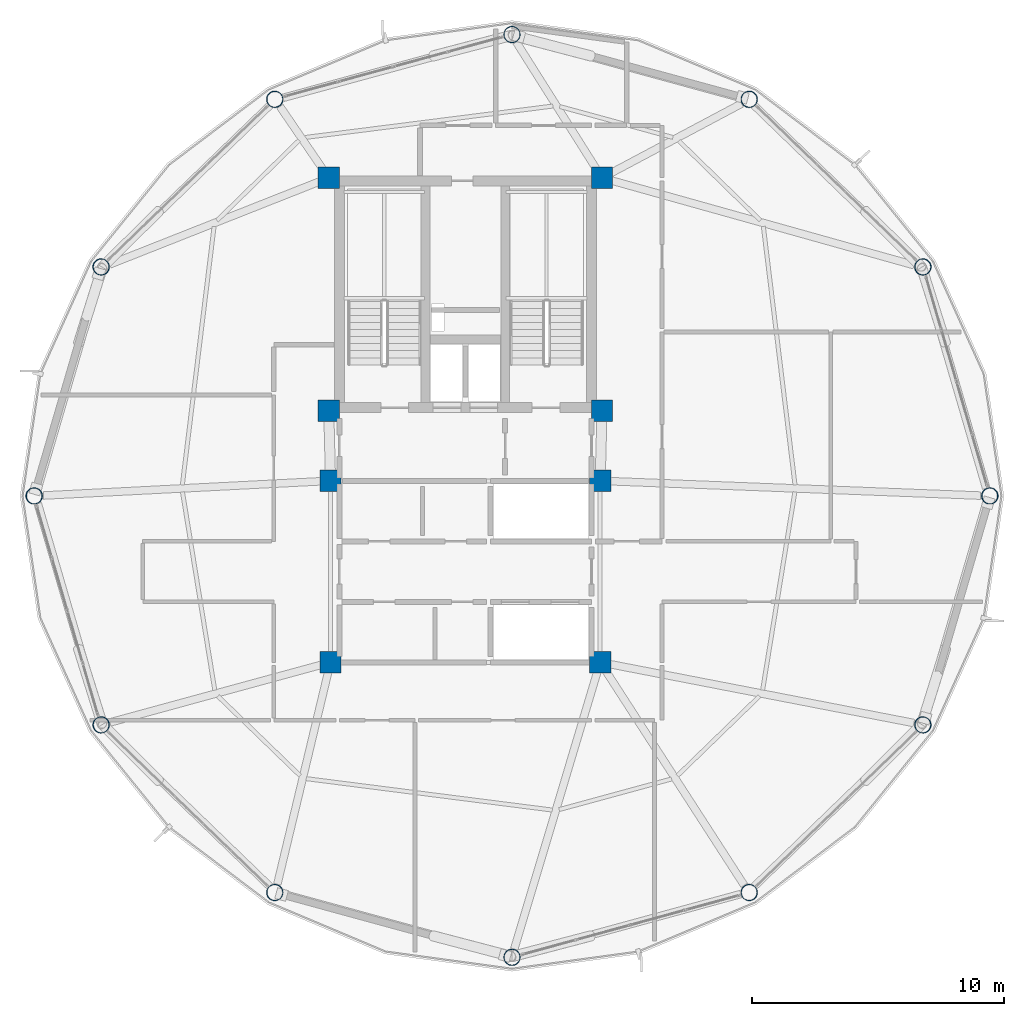
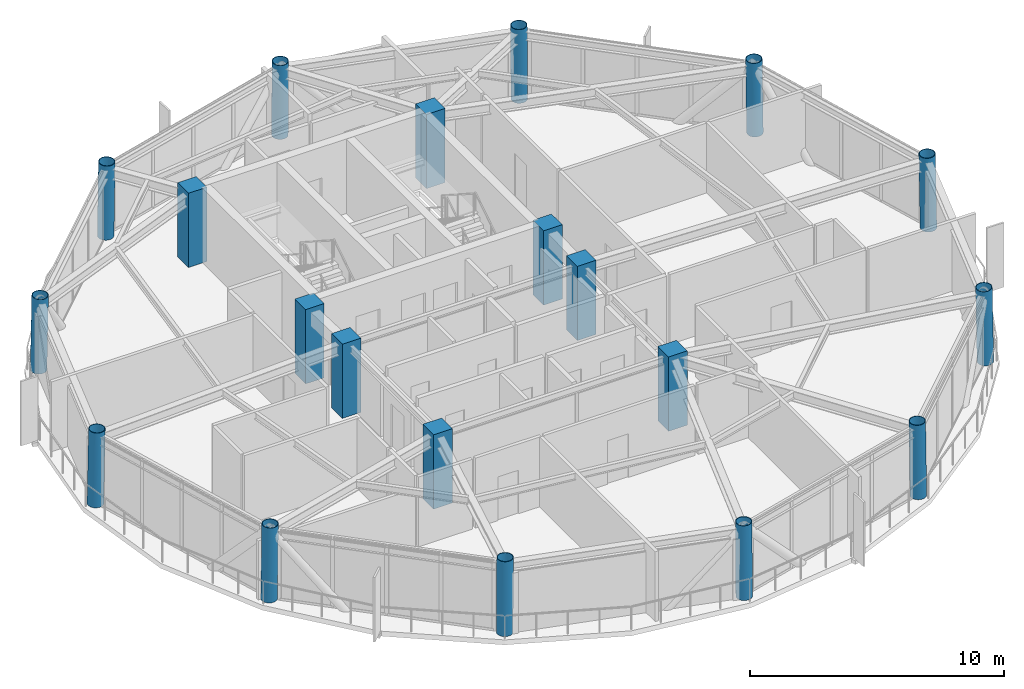
# One storey, part 1 of 26: 20 columns.
"""IFC4 building model written with IfcOpenShell, lengths in metres."""

from ifc_helpers import new_model, si_unit, direction, frame, origin, origin_2d, place, context, subcontext, project, spatial, rectangle, hollow_circle, extrude, material, material_profile, profile_set, type_object, element, save


model = new_model("IFC4")

# Units and contexts
model_context = context("Model", 3, precision=1e-05, world=origin(), true_north=direction((0.0, 1.0)))
body_context = subcontext(model_context, "Body", "Model", "MODEL_VIEW")
ifc_project = project(units=[si_unit("LENGTHUNIT", "METRE"), si_unit("AREAUNIT", "SQUARE_METRE"), si_unit("VOLUMEUNIT", "CUBIC_METRE"), si_unit("PLANEANGLEUNIT", "RADIAN"), si_unit("MASSUNIT", "GRAM", prefix="KILO")], contexts=[model_context])

# Site, building, storey
site_placement = place(None, origin())
site = spatial("IfcSite", under=ifc_project, at=site_placement, CompositionType="ELEMENT")
building_placement = place(site_placement, origin())
building = spatial("IfcBuilding", under=site, at=building_placement, Name="Varnakorn Sky Granary", CompositionType="ELEMENT")
storey_placement = place(building_placement, frame((0.0, 0.0, 222.0)))
storey = spatial("IfcBuildingStorey", under=building, at=storey_placement, Name="L56", CompositionType="ELEMENT", Elevation=222.0)

# Columns
ifc_material_1 = material(Name="Steel S460M", Category="steel")
ifc_material_profile_1 = material_profile(ifc_material_1, hollow_circle(Radius=0.330078125, WallThickness=0.02490234375, at=origin_2d()), Name="CHS 660x25")
ifc_profile_set_1 = profile_set([ifc_material_profile_1], Name="Steel S460M")
column_type_1 = type_object("IfcColumnType", Name="COL-DC-Z4", PredefinedType="COLUMN", material=ifc_profile_set_1)
column_1_placement = place(storey_placement, frame((23.819091796875, 0.0, 0.0), z_axis=(-0.018776993553, 0.0, 0.999823696715), x_axis=(0.0, -1.0, 0.0)))
element("IfcColumn", 1, at=column_1_placement, inside=storey, type_object=column_type_1, Name="Drum Perimeter Column DC01 L56", PredefinedType="COLUMN", context=body_context, shape_type="SweptSolid", body=[
    extrude(hollow_circle(Radius=0.330078125, WallThickness=0.02490234375, at=origin_2d()), origin(), (0.0, 0.0, 1.0), 3.57568359375),
])
column_2_placement = place(storey_placement, frame((21.16064453125, 9.08740234375, 0.0), z_axis=(-0.016182908802, -0.004711479778, 0.999857947621), x_axis=(0.279533267892, -0.960136007106, 0.0)))
element("IfcColumn", 2, at=column_2_placement, inside=storey, type_object=column_type_1, Name="Drum Perimeter Column DC02 L56", PredefinedType="COLUMN", context=body_context, shape_type="SweptSolid", body=[
    extrude(hollow_circle(Radius=0.330078125, WallThickness=0.02490234375, at=origin_2d()), origin(), (0.0, 0.0, 1.0), 3.575439453125),
])
for number, where, z_axis, x_axis, name in (
    (3, (14.26708984375, 15.739990234375, 0.0), (-0.009423563403, -0.008194402959, 0.999922021066), (0.656178714925, -0.754605522164, 0.0), "Drum Perimeter Column DC03 L56"),
    (4, (4.85009765625, 18.31005859375, 0.0), (0.0, -0.00956044538, 0.999954297898), (1.0, 0.0, 0.0), "Drum Perimeter Column DC04 L56"),
    (5, (-4.56689453125, 15.739990234375, 0.0), (0.00935528271, -0.008194408213, 0.999922662189), (0.658893247603, 0.75223645768, 0.0), "Drum Perimeter Column DC05 L56"),
):
    element("IfcColumn", number, at=place(storey_placement, frame(where, z_axis=z_axis, x_axis=x_axis)), inside=storey, type_object=column_type_1, Name=name, PredefinedType="COLUMN", context=body_context, shape_type="SweptSolid", body=[
        extrude(hollow_circle(Radius=0.330078125, WallThickness=0.02490234375, at=origin_2d()), origin(), (0.0, 0.0, 1.0), 3.5751953125),
    ])
column_3_placement = place(storey_placement, frame((-11.460693359375, 9.08740234375, 0.0), z_axis=(0.016251173122, -0.004711474561, 0.999856840442), x_axis=(0.278450000424, 0.960450726099, 0.0)))
element("IfcColumn", 6, at=column_3_placement, inside=storey, type_object=column_type_1, Name="Drum Perimeter Column DC06 L56", PredefinedType="COLUMN", context=body_context, shape_type="SweptSolid", body=[
    extrude(hollow_circle(Radius=0.330078125, WallThickness=0.02490234375, at=origin_2d()), origin(), (0.0, 0.0, 1.0), 3.575439453125),
])
column_4_placement = place(storey_placement, frame((-14.118896484375, 0.0, 0.0), z_axis=(0.018708737519, 0.0, 0.999824976254), x_axis=(0.0, 1.0, 0.0)))
element("IfcColumn", 7, at=column_4_placement, inside=storey, type_object=column_type_1, Name="Drum Perimeter Column DC07 L56", PredefinedType="COLUMN", context=body_context, shape_type="SweptSolid", body=[
    extrude(hollow_circle(Radius=0.330078125, WallThickness=0.02490234375, at=origin_2d()), origin(), (0.0, 0.0, 1.0), 3.57568359375),
])
column_5_placement = place(storey_placement, frame((-11.460693359375, -9.08740234375, 0.0), z_axis=(0.016251173122, 0.004711474561, 0.999856840442), x_axis=(-0.278450000424, 0.960450726099, 0.0)))
element("IfcColumn", 8, at=column_5_placement, inside=storey, type_object=column_type_1, Name="Drum Perimeter Column DC08 L56", PredefinedType="COLUMN", context=body_context, shape_type="SweptSolid", body=[
    extrude(hollow_circle(Radius=0.330078125, WallThickness=0.02490234375, at=origin_2d()), origin(), (0.0, 0.0, 1.0), 3.575439453125),
])
for number, where, z_axis, x_axis, name in (
    (9, (-4.56689453125, -15.739990234375, 0.0), (0.00935528271, 0.008194408213, 0.999922662189), (-0.658893247603, 0.75223645768, 0.0), "Drum Perimeter Column DC09 L56"),
    (10, (4.85009765625, -18.31005859375, 0.0), (0.0, 0.00956044538, 0.999954297898), (-1.0, 0.0, 0.0), "Drum Perimeter Column DC10 L56"),
    (11, (14.26708984375, -15.739990234375, 0.0), (-0.009423563403, 0.008194402959, 0.999922021066), (-0.656178714925, -0.754605522164, 0.0), "Drum Perimeter Column DC11 L56"),
):
    element("IfcColumn", number, at=place(storey_placement, frame(where, z_axis=z_axis, x_axis=x_axis)), inside=storey, type_object=column_type_1, Name=name, PredefinedType="COLUMN", context=body_context, shape_type="SweptSolid", body=[
        extrude(hollow_circle(Radius=0.330078125, WallThickness=0.02490234375, at=origin_2d()), origin(), (0.0, 0.0, 1.0), 3.5751953125),
    ])
column_6_placement = place(storey_placement, frame((21.16064453125, -9.08740234375, 0.0), z_axis=(-0.016182908802, 0.004711479778, 0.999857947621), x_axis=(-0.279533267892, -0.960136007106, 0.0)))
element("IfcColumn", 12, at=column_6_placement, inside=storey, type_object=column_type_1, Name="Drum Perimeter Column DC12 L56", PredefinedType="COLUMN", context=body_context, shape_type="SweptSolid", body=[
    extrude(hollow_circle(Radius=0.330078125, WallThickness=0.02490234375, at=origin_2d()), origin(), (0.0, 0.0, 1.0), 3.575439453125),
])
ifc_material_2 = material(Name="Concrete C50/60", Category="concrete")
ifc_material_profile_2 = material_profile(ifc_material_2, rectangle(XDim=0.85009765625, YDim=0.85009765625, at=origin_2d()), Name="RC 850x850")
ifc_profile_set_2 = profile_set([ifc_material_profile_2], Name="Concrete C50/60")
column_type_2 = type_object("IfcColumnType", Name="COL-MC-Z4", PredefinedType="COLUMN", material=ifc_profile_set_2)
for number, where, z_axis, x_axis, name in (
    (13, (-2.419921875, 12.6201171875, 0.0), (0.0, 0.0, 1.0), (1.0, 0.0, 0.0), "Backbone Mega-Column MC1 L56"),
    (14, (8.419921875, 12.6201171875, 0.0), (0.0, 0.0, 1.0), (1.0, 0.0, 0.0), "Backbone Mega-Column MC2 L56"),
    (15, (-2.419921875, 3.3798828125, 0.0), (0.0, 0.0, 1.0), (1.0, 0.0, 0.0), "Backbone Mega-Column MC3 L56"),
    (16, (8.419921875, 3.3798828125, 0.0), (0.0, 0.0, 1.0), (1.0, 0.0, 0.0), "Backbone Mega-Column MC4 L56"),
    (17, (-2.35009765625, 0.60009765625, 0.0), (0.0, 0.0, 1.0), (1.0, 0.0, 0.0), "Backbone Mega-Column MC5 L56"),
    (18, (8.35009765625, 0.60009765625, 0.0), (0.0, 0.0, 1.0), (1.0, 0.0, 0.0), "Backbone Mega-Column MC6 L56"),
    (19, (-2.35009765625, -6.60009765625, 0.0), (0.0, 0.0, 1.0), (1.0, 0.0, 0.0), "Backbone Mega-Column MC7 L56"),
    (20, (8.35009765625, -6.60009765625, 0.0), (0.0, 0.0, 1.0), (1.0, 0.0, 0.0), "Backbone Mega-Column MC8 L56"),
):
    element("IfcColumn", number, at=place(storey_placement, frame(where, z_axis=z_axis, x_axis=x_axis)), inside=storey, type_object=column_type_2, Name=name, PredefinedType="COLUMN", context=body_context, shape_type="SweptSolid", body=[
        extrude(rectangle(XDim=0.85009765625, YDim=0.85009765625, at=origin_2d()), origin(), (0.0, 0.0, 1.0), 3.574951171875),
    ])

save(model, "model.ifc")
